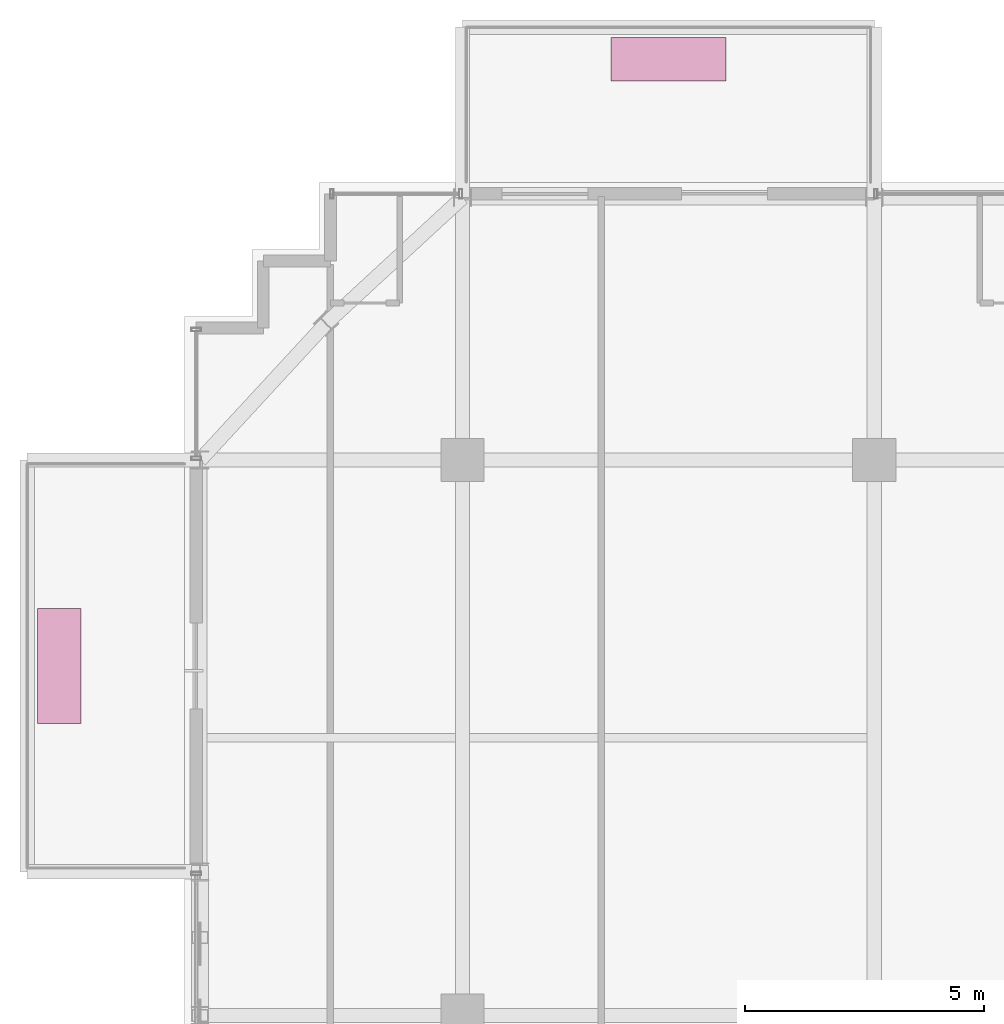
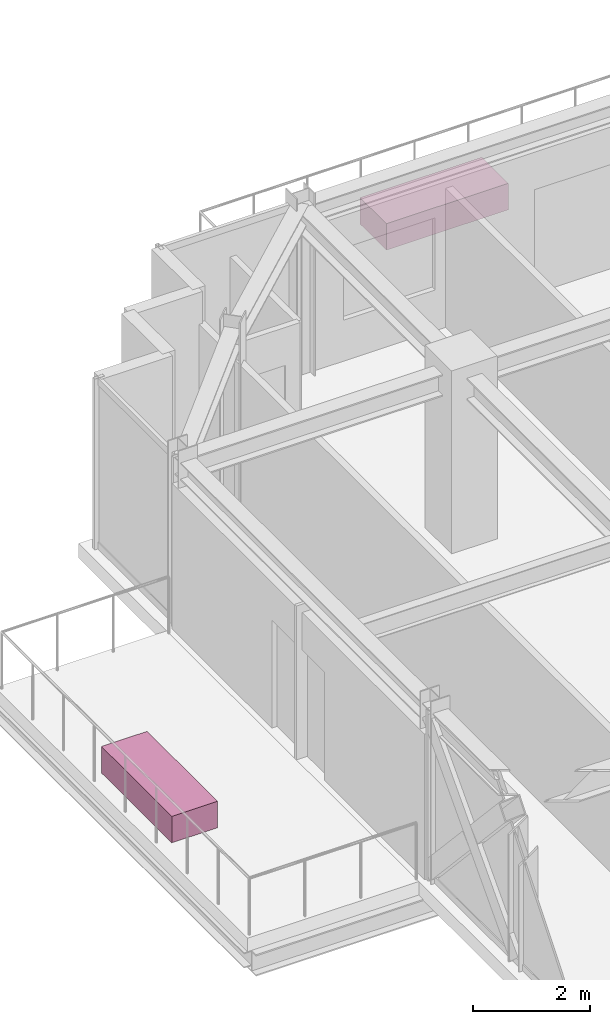
# One storey, part 41 of 41: 2 furnishings.
"""IFC4 building model written with IfcOpenShell, lengths in metres."""

from ifc_helpers import new_model, si_unit, direction, frame, origin, origin_2d, place, context, subcontext, project, spatial, rectangle, extrude, source, transform, mapped, material, type_object, element, save


model = new_model("IFC4")

# Units and contexts
model_context = context("Model", 3, precision=1e-05, world=origin(), true_north=direction((0.0, 1.0)))
body_context = subcontext(model_context, "Body", "Model", "MODEL_VIEW")
ifc_project = project(units=[si_unit("LENGTHUNIT", "METRE"), si_unit("AREAUNIT", "SQUARE_METRE"), si_unit("VOLUMEUNIT", "CUBIC_METRE"), si_unit("PLANEANGLEUNIT", "RADIAN"), si_unit("MASSUNIT", "GRAM", prefix="KILO")], contexts=[model_context])

# Site, building, storey
site_placement = place(None, origin())
site = spatial("IfcSite", under=ifc_project, at=site_placement, CompositionType="ELEMENT")
building_placement = place(site_placement, origin())
building = spatial("IfcBuilding", under=site, at=building_placement, Name="Nahalor Promenade Grand Hotel", CompositionType="ELEMENT")
storey_placement = place(building_placement, frame((0.0, 0.0, 304.199951171875)))
storey = spatial("IfcBuildingStorey", under=building, at=storey_placement, Name="L78", CompositionType="ELEMENT", Elevation=304.199951171875)

# Furnishings
ifc_material = material(Name="Vegetated Volcanic-Lapilli Tree Planter", Category="earth")
furnishing_element_type = type_object("IfcFurnishingElementType", Name="Planter-VerticalForest-Box", material=ifc_material)
shared_shape = source(origin(), body_context, "Body", "SweptSolid", [
    extrude(rectangle(XDim=2.39990234375, YDim=0.89990234375, at=origin_2d()), origin(), (0.0, 0.0, 1.0), 0.550048828125),
])
for number, where, z_axis, x_axis, name in (
    (1, (-12.699951171875, 25.3701171875, 0.0), (0.0, 0.0, 1.0), (1.0, 0.0, 0.0), "L78 Balcony Structural Tree Planter 1"),
    (2, (-25.419921875, 12.699951171875, 0.0), (0.0, 0.0, 1.0), (0.0, 1.0, 0.0), "L78 Balcony Structural Tree Planter 2"),
):
    element("IfcFurnishingElement", number, at=place(storey_placement, frame(where, z_axis=z_axis, x_axis=x_axis)), inside=storey, type_object=furnishing_element_type, Name=name, ObjectType="PLANTER", context=body_context, shape_type="MappedRepresentation", body=[
        mapped(shared_shape, transform((0.0, 0.0, 0.0), scale=1.0)),
    ])

save(model, "model.ifc")
